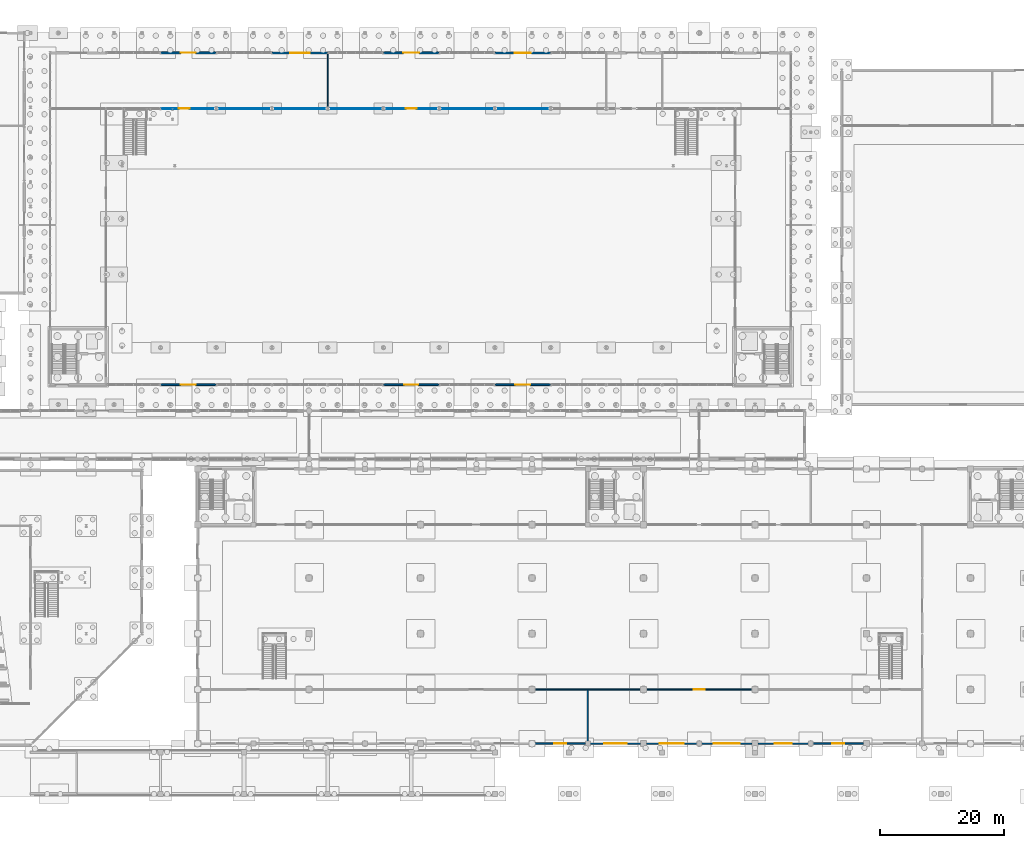
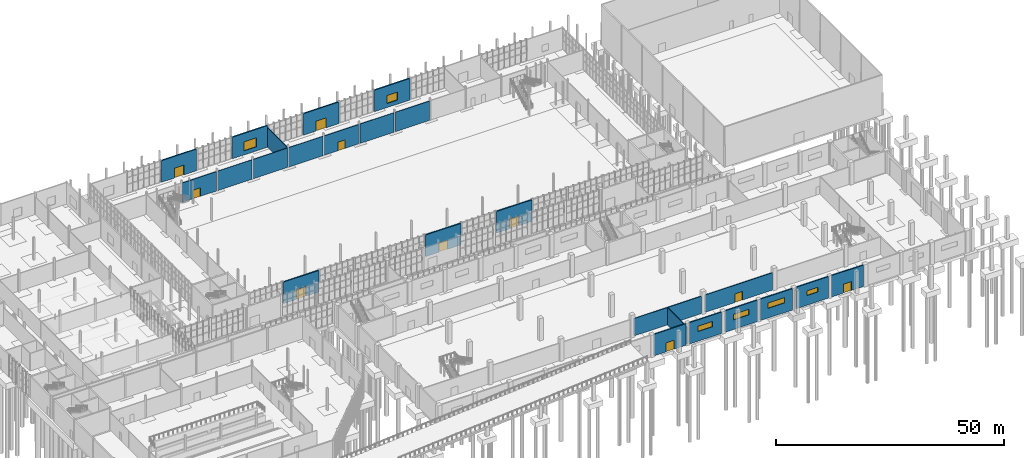
# One storey, part 103 of 131: 24 walls, 10 doors, 6 windows, 16 openings.
"""IFC4 building model written with IfcOpenShell, lengths in metres."""

from ifc_helpers import new_model, si_unit, direction, frame, frame_2d, origin, place, context, subcontext, project, spatial, rectangle, extrude, material, layer, layer_set, type_object, element, fill, save


model = new_model("IFC4")

# Units and contexts
model_context = context("Model", 3, precision=1e-05, world=origin(), true_north=direction((0.0, 1.0)))
body_context = subcontext(model_context, "Body", "Model", "MODEL_VIEW")
ifc_project = project(units=[si_unit("LENGTHUNIT", "METRE"), si_unit("AREAUNIT", "SQUARE_METRE"), si_unit("VOLUMEUNIT", "CUBIC_METRE"), si_unit("PLANEANGLEUNIT", "RADIAN"), si_unit("MASSUNIT", "GRAM", prefix="KILO")], contexts=[model_context])

# Site, building, storey
site_placement = place(None, origin())
site = spatial("IfcSite", under=ifc_project, at=site_placement, CompositionType="ELEMENT")
building_placement = place(site_placement, origin())
building = spatial("IfcBuilding", under=site, at=building_placement, Name="Cazmaro Siding Exhibition Halls", CompositionType="ELEMENT")
storey_placement = place(building_placement, origin())
storey = spatial("IfcBuildingStorey", under=building, at=storey_placement, Name="L00", CompositionType="ELEMENT", Elevation=0.0)

# Wall, opening, door
ifc_material_1 = material(Name="Concrete f'c 45 MPa", Category="concrete")
ifc_layer_1 = layer(ifc_material_1, 0.320068359375)
ifc_layer_set_1 = layer_set([ifc_layer_1], Name="Concrete f'c 45 MPa")
wall_type_1 = type_object("IfcWallType", Name="EW-01", PredefinedType="STANDARD", material=ifc_layer_set_1)
wall_1_placement = place(storey_placement, frame((74.988037109375, 67.199951171875, 0.0), z_axis=(0.0, 0.0, 1.0), x_axis=(-1.0, 0.0, 0.0)))
wall_1 = element("IfcWall", 1, at=wall_1_placement, inside=storey, type_object=wall_type_1, Name="Hall A South Acoustic Wall EW-01 WL-E0006", PredefinedType="STANDARD", context=body_context, shape_type="SweptSolid", body=[
    extrude(rectangle(XDim=8.97607421875, YDim=0.320068359375, at=frame_2d((4.488037109375, 0.0))), origin(), (0.0, 0.0, 1.0), 5.780029296875),
])
opening_1_placement = place(wall_1_placement, frame((3.2880859375, 0.0, 0.0)))
opening_1 = element("IfcOpeningElement", 2, at=opening_1_placement, cuts=wall_1, Name="Opening D-E002", PredefinedType="OPENING", context=body_context, shape_type="SweptSolid", body=[
    extrude(rectangle(XDim=2.39990234375, YDim=2.60009765625, at=frame_2d((1.199951171875, 1.300048828125))), frame((0.0, 0.169921875, 0.0), z_axis=(0.0, -1.0, 0.0), x_axis=(1.0, 0.0, 0.0)), (0.0, 0.0, 1.0), 0.340087890625),
])
ifc_material_2 = material(Name="Anodized Bronze Glazed Entrance Door", Category="aluminium")
door_type_1 = type_object("IfcDoorType", Name="ED-02", OperationType="DOUBLE_DOOR_SINGLE_SWING", PredefinedType="DOOR", material=ifc_material_2)
door_1_placement = place(opening_1_placement, origin())
door_1 = element("IfcDoor", 3, at=door_1_placement, inside=storey, type_object=door_type_1, Name="Exterior door D-E002 (ED-02)", OperationType="DOUBLE_DOOR_SINGLE_SWING", OverallHeight=2.60009765625, OverallWidth=2.39990234375, PredefinedType="DOOR", context=body_context, shape_type="SweptSolid", body=[
    extrude(rectangle(XDim=2.39990234375, YDim=2.60009765625, at=frame_2d((1.199951171875, 1.300048828125))), frame((0.0, 0.02490234375, 0.0), z_axis=(0.0, -1.0, 0.0), x_axis=(1.0, 0.0, 0.0)), (0.0, 0.0, 1.0), 0.050048828125),
])
fill(opening_1, door_1)

wall_2_placement = place(storey_placement, frame((66.011962890625, 120.800048828125, 0.0), z_axis=(0.0, 0.0, 1.0), x_axis=(1.0, 0.0, 0.0)))
wall_2 = element("IfcWall", 4, at=wall_2_placement, inside=storey, type_object=wall_type_1, Name="Hall A North Wall EW-01 WL-E0008", PredefinedType="STANDARD", context=body_context, shape_type="SweptSolid", body=[
    extrude(rectangle(XDim=8.97607421875, YDim=0.320068359375, at=frame_2d((4.488037109375, 0.0))), origin(), (0.0, 0.0, 1.0), 5.780029296875),
])
opening_2_placement = place(wall_2_placement, frame((3.2880859375, 0.0, 0.0)))
opening_2 = element("IfcOpeningElement", 5, at=opening_2_placement, cuts=wall_2, Name="Opening D-E003", PredefinedType="OPENING", context=body_context, shape_type="SweptSolid", body=[
    extrude(rectangle(XDim=2.39990234375, YDim=2.60009765625, at=frame_2d((1.199951171875, 1.300048828125))), frame((0.0, 0.169921875, 0.0), z_axis=(0.0, -1.0, 0.0), x_axis=(1.0, 0.0, 0.0)), (0.0, 0.0, 1.0), 0.340087890625),
])
door_2_placement = place(opening_2_placement, origin())
door_2 = element("IfcDoor", 6, at=door_2_placement, inside=storey, type_object=door_type_1, Name="Exterior door D-E003 (ED-02)", OperationType="DOUBLE_DOOR_SINGLE_SWING", OverallHeight=2.60009765625, OverallWidth=2.39990234375, PredefinedType="DOOR", context=body_context, shape_type="SweptSolid", body=[
    extrude(rectangle(XDim=2.39990234375, YDim=2.60009765625, at=frame_2d((1.199951171875, 1.300048828125))), frame((0.0, 0.02490234375, 0.0), z_axis=(0.0, -1.0, 0.0), x_axis=(1.0, 0.0, 0.0)), (0.0, 0.0, 1.0), 0.050048828125),
])
fill(opening_2, door_2)

# Wall, opening, window
wall_3_placement = place(storey_placement, frame((84.011962890625, 120.800048828125, 0.0), z_axis=(0.0, 0.0, 1.0), x_axis=(1.0, 0.0, 0.0)))
wall_3 = element("IfcWall", 7, at=wall_3_placement, inside=storey, type_object=wall_type_1, Name="Hall A North Wall EW-01 WL-E0012", PredefinedType="STANDARD", context=body_context, shape_type="SweptSolid", body=[
    extrude(rectangle(XDim=8.97607421875, YDim=0.320068359375, at=frame_2d((4.488037109375, 0.0))), origin(), (0.0, 0.0, 1.0), 5.780029296875),
])
opening_3_placement = place(wall_3_placement, frame((2.9130859375, 0.0, 1.10009765625)))
opening_3 = element("IfcOpeningElement", 8, at=opening_3_placement, cuts=wall_3, Name="Opening W-007", PredefinedType="OPENING", context=body_context, shape_type="SweptSolid", body=[
    extrude(rectangle(XDim=3.14990234375, YDim=2.39990234375, at=frame_2d((1.574951171875, 1.199951171875))), frame((0.0, 0.169921875, 0.0), z_axis=(0.0, -1.0, 0.0), x_axis=(1.0, 0.0, 0.0)), (0.0, 0.0, 1.0), 0.340087890625),
])
ifc_material_3 = material(Name="Thermally Broken Aluminum Low-E Window Unit", Category="aluminium")
window_type_1 = type_object("IfcWindowType", Name="WT-12", PartitioningType="SINGLE_PANEL", PredefinedType="WINDOW", material=ifc_material_3)
window_1_placement = place(opening_3_placement, origin())
window_1 = element("IfcWindow", 9, at=window_1_placement, inside=storey, type_object=window_type_1, Name="Window W-007 (WT-12)", OverallHeight=2.39990234375, OverallWidth=3.14990234375, PartitioningType="SINGLE_PANEL", PredefinedType="WINDOW", context=body_context, shape_type="SweptSolid", body=[
    extrude(rectangle(XDim=3.14990234375, YDim=2.39990234375, at=frame_2d((1.574951171875, 1.199951171875))), frame((0.0, 0.030029296875, 0.0), z_axis=(0.0, -1.0, 0.0), x_axis=(1.0, 0.0, 0.0)), (0.0, 0.0, 1.0), 0.06005859375),
])
fill(opening_3, window_1)

# Wall, opening, door
wall_4_placement = place(storey_placement, frame((110.988037109375, 67.199951171875, 0.0), z_axis=(0.0, 0.0, 1.0), x_axis=(-1.0, 0.0, 0.0)))
wall_4 = element("IfcWall", 10, at=wall_4_placement, inside=storey, type_object=wall_type_1, Name="Hall A South Acoustic Wall EW-01 WL-E0014", PredefinedType="STANDARD", context=body_context, shape_type="SweptSolid", body=[
    extrude(rectangle(XDim=8.97607421875, YDim=0.320068359375, at=frame_2d((4.488037109375, 0.0))), origin(), (0.0, 0.0, 1.0), 5.780029296875),
])
opening_4_placement = place(wall_4_placement, frame((3.387939453125, 0.0, 0.0)))
opening_4 = element("IfcOpeningElement", 11, at=opening_4_placement, cuts=wall_4, Name="Opening D-E006", PredefinedType="OPENING", context=body_context, shape_type="SweptSolid", body=[
    extrude(rectangle(XDim=2.199951171875, YDim=2.5, at=frame_2d((1.10009765625, 1.25))), frame((0.0, 0.169921875, 0.0), z_axis=(0.0, -1.0, 0.0), x_axis=(1.0, 0.0, 0.0)), (0.0, 0.0, 1.0), 0.340087890625),
])
ifc_material_4 = material(Name="Anodized Bronze Glazed Entrance Door", Category="aluminium")
door_type_2 = type_object("IfcDoorType", Name="ED-06", OperationType="DOUBLE_DOOR_SINGLE_SWING", PredefinedType="DOOR", material=ifc_material_4)
door_3_placement = place(opening_4_placement, origin())
door_3 = element("IfcDoor", 12, at=door_3_placement, inside=storey, type_object=door_type_2, Name="Exterior door D-E006 (ED-06)", OperationType="DOUBLE_DOOR_SINGLE_SWING", OverallHeight=2.5, OverallWidth=2.199951171875, PredefinedType="DOOR", context=body_context, shape_type="SweptSolid", body=[
    extrude(rectangle(XDim=2.199951171875, YDim=2.5, at=frame_2d((1.10009765625, 1.25))), frame((0.0, 0.02490234375, 0.0), z_axis=(0.0, -1.0, 0.0), x_axis=(1.0, 0.0, 0.0)), (0.0, 0.0, 1.0), 0.050048828125),
])
fill(opening_4, door_3)

wall_5_placement = place(storey_placement, frame((102.011962890625, 120.800048828125, 0.0), z_axis=(0.0, 0.0, 1.0), x_axis=(1.0, 0.0, 0.0)))
wall_5 = element("IfcWall", 13, at=wall_5_placement, inside=storey, type_object=wall_type_1, Name="Hall A North Wall EW-01 WL-E0016", PredefinedType="STANDARD", context=body_context, shape_type="SweptSolid", body=[
    extrude(rectangle(XDim=8.97607421875, YDim=0.320068359375, at=frame_2d((4.488037109375, 0.0))), origin(), (0.0, 0.0, 1.0), 5.780029296875),
])
opening_5_placement = place(wall_5_placement, frame((3.18798828125, 0.0, 0.0)))
opening_5 = element("IfcOpeningElement", 14, at=opening_5_placement, cuts=wall_5, Name="Opening D-E007", PredefinedType="OPENING", context=body_context, shape_type="SweptSolid", body=[
    extrude(rectangle(XDim=2.60009765625, YDim=2.64990234375, at=frame_2d((1.300048828125, 1.324951171875))), frame((0.0, 0.169921875, 0.0), z_axis=(0.0, -1.0, 0.0), x_axis=(1.0, 0.0, 0.0)), (0.0, 0.0, 1.0), 0.340087890625),
])
ifc_material_5 = material(Name="Anodized Bronze Glazed Entrance Door", Category="aluminium")
door_type_3 = type_object("IfcDoorType", Name="ED-07", OperationType="DOUBLE_DOOR_SINGLE_SWING", PredefinedType="DOOR", material=ifc_material_5)
door_4_placement = place(opening_5_placement, origin())
door_4 = element("IfcDoor", 15, at=door_4_placement, inside=storey, type_object=door_type_3, Name="Exterior door D-E007 (ED-07)", OperationType="DOUBLE_DOOR_SINGLE_SWING", OverallHeight=2.64990234375, OverallWidth=2.60009765625, PredefinedType="DOOR", context=body_context, shape_type="SweptSolid", body=[
    extrude(rectangle(XDim=2.60009765625, YDim=2.64990234375, at=frame_2d((1.300048828125, 1.324951171875))), frame((0.0, 0.02490234375, 0.0), z_axis=(0.0, -1.0, 0.0), x_axis=(1.0, 0.0, 0.0)), (0.0, 0.0, 1.0), 0.050048828125),
])
fill(opening_5, door_4)

wall_6_placement = place(storey_placement, frame((128.988037109375, 67.199951171875, 0.0), z_axis=(0.0, 0.0, 1.0), x_axis=(-1.0, 0.0, 0.0)))
wall_6 = element("IfcWall", 16, at=wall_6_placement, inside=storey, type_object=wall_type_1, Name="Hall A South Acoustic Wall EW-01 WL-E0018", PredefinedType="STANDARD", context=body_context, shape_type="SweptSolid", body=[
    extrude(rectangle(XDim=8.97607421875, YDim=0.320068359375, at=frame_2d((4.488037109375, 0.0))), origin(), (0.0, 0.0, 1.0), 5.780029296875),
])
opening_6_placement = place(wall_6_placement, frame((3.2880859375, 0.0, 0.0)))
opening_6 = element("IfcOpeningElement", 17, at=opening_6_placement, cuts=wall_6, Name="Opening D-E008", PredefinedType="OPENING", context=body_context, shape_type="SweptSolid", body=[
    extrude(rectangle(XDim=2.39990234375, YDim=2.60009765625, at=frame_2d((1.199951171875, 1.300048828125))), frame((0.0, 0.169921875, 0.0), z_axis=(0.0, -1.0, 0.0), x_axis=(1.0, 0.0, 0.0)), (0.0, 0.0, 1.0), 0.340087890625),
])
door_5_placement = place(opening_6_placement, origin())
door_5 = element("IfcDoor", 18, at=door_5_placement, inside=storey, type_object=door_type_1, Name="Exterior door D-E008 (ED-02)", OperationType="DOUBLE_DOOR_SINGLE_SWING", OverallHeight=2.60009765625, OverallWidth=2.39990234375, PredefinedType="DOOR", context=body_context, shape_type="SweptSolid", body=[
    extrude(rectangle(XDim=2.39990234375, YDim=2.60009765625, at=frame_2d((1.199951171875, 1.300048828125))), frame((0.0, 0.02490234375, 0.0), z_axis=(0.0, -1.0, 0.0), x_axis=(1.0, 0.0, 0.0)), (0.0, 0.0, 1.0), 0.050048828125),
])
fill(opening_6, door_5)

# Wall, opening, window
wall_7_placement = place(storey_placement, frame((120.011962890625, 120.800048828125, 0.0), z_axis=(0.0, 0.0, 1.0), x_axis=(1.0, 0.0, 0.0)))
wall_7 = element("IfcWall", 19, at=wall_7_placement, inside=storey, type_object=wall_type_1, Name="Hall A North Wall EW-01 WL-E0020", PredefinedType="STANDARD", context=body_context, shape_type="SweptSolid", body=[
    extrude(rectangle(XDim=8.97607421875, YDim=0.320068359375, at=frame_2d((4.488037109375, 0.0))), origin(), (0.0, 0.0, 1.0), 5.780029296875),
])
opening_7_placement = place(wall_7_placement, frame((3.18798828125, 0.0, 1.10009765625)))
opening_7 = element("IfcOpeningElement", 20, at=opening_7_placement, cuts=wall_7, Name="Opening W-012", PredefinedType="OPENING", context=body_context, shape_type="SweptSolid", body=[
    extrude(rectangle(XDim=2.60009765625, YDim=2.14990234375, at=frame_2d((1.300048828125, 1.074951171875))), frame((0.0, 0.169921875, 0.0), z_axis=(0.0, -1.0, 0.0), x_axis=(1.0, 0.0, 0.0)), (0.0, 0.0, 1.0), 0.340087890625),
])
ifc_material_6 = material(Name="Thermally Broken Aluminum Low-E Window Unit", Category="aluminium")
window_type_2 = type_object("IfcWindowType", Name="WT-16", PartitioningType="SINGLE_PANEL", PredefinedType="WINDOW", material=ifc_material_6)
window_2_placement = place(opening_7_placement, origin())
window_2 = element("IfcWindow", 21, at=window_2_placement, inside=storey, type_object=window_type_2, Name="Window W-012 (WT-16)", OverallHeight=2.14990234375, OverallWidth=2.60009765625, PartitioningType="SINGLE_PANEL", PredefinedType="WINDOW", context=body_context, shape_type="SweptSolid", body=[
    extrude(rectangle(XDim=2.60009765625, YDim=2.14990234375, at=frame_2d((1.300048828125, 1.074951171875))), frame((0.0, 0.030029296875, 0.0), z_axis=(0.0, -1.0, 0.0), x_axis=(1.0, 0.0, 0.0)), (0.0, 0.0, 1.0), 0.06005859375),
])
fill(opening_7, window_2)

# Wall, opening, door
ifc_material_7 = material(Name="Precast concrete f'c 40 MPa", Category="concrete")
ifc_layer_2 = layer(ifc_material_7, 0.280029296875)
ifc_layer_set_2 = layer_set([ifc_layer_2], Name="Precast concrete f'c 40 MPa")
wall_type_2 = type_object("IfcWallType", Name="EW-02", PredefinedType="STANDARD", material=ifc_layer_set_2)
wall_8_placement = place(storey_placement, frame((134.60791015625, 9.25, 0.0), z_axis=(0.0, 0.0, 1.0), x_axis=(-1.0, 0.0, 0.0)))
wall_8 = element("IfcWall", 22, at=wall_8_placement, inside=storey, type_object=wall_type_2, Name="Hall B1 South Precast Wall EW-02 WL-E0072", PredefinedType="STANDARD", context=body_context, shape_type="SweptSolid", body=[
    extrude(rectangle(XDim=8.115966796875, YDim=0.280029296875, at=frame_2d((4.05810546875, 0.0))), origin(), (0.0, 0.0, 1.0), 5.75),
])
opening_8_placement = place(wall_8_placement, frame((3.05810546875, 0.0, 0.0)))
opening_8 = element("IfcOpeningElement", 23, at=opening_8_placement, cuts=wall_8, Name="Opening D-E018", PredefinedType="OPENING", context=body_context, shape_type="SweptSolid", body=[
    extrude(rectangle(XDim=2.0, YDim=2.39990234375, at=frame_2d((1.0, 1.199951171875))), frame((0.0, 0.14990234375, 0.0), z_axis=(0.0, -1.0, 0.0), x_axis=(1.0, 0.0, 0.0)), (0.0, 0.0, 1.0), 0.300048828125),
])
ifc_material_8 = material(Name="Anodized Bronze Glazed Entrance Door", Category="aluminium")
door_type_4 = type_object("IfcDoorType", Name="ED-01", OperationType="DOUBLE_DOOR_SINGLE_SWING", PredefinedType="DOOR", material=ifc_material_8)
door_6_placement = place(opening_8_placement, origin())
door_6 = element("IfcDoor", 24, at=door_6_placement, inside=storey, type_object=door_type_4, Name="Exterior door D-E018 (ED-01)", OperationType="DOUBLE_DOOR_SINGLE_SWING", OverallHeight=2.39990234375, OverallWidth=2.0, PredefinedType="DOOR", context=body_context, shape_type="SweptSolid", body=[
    extrude(rectangle(XDim=2.0, YDim=2.39990234375, at=frame_2d((1.0, 1.199951171875))), frame((0.0, 0.02490234375, 0.0), z_axis=(0.0, -1.0, 0.0), x_axis=(1.0, 0.0, 0.0)), (0.0, 0.0, 1.0), 0.050048828125),
])
fill(opening_8, door_6)

# Wall, opening, window
wall_9_placement = place(storey_placement, frame((143.508056640625, 9.25, 0.0), z_axis=(0.0, 0.0, 1.0), x_axis=(-1.0, 0.0, 0.0)))
wall_9 = element("IfcWall", 25, at=wall_9_placement, inside=storey, type_object=wall_type_2, Name="Hall B1 South Precast Wall EW-02 WL-E0078", PredefinedType="STANDARD", context=body_context, shape_type="SweptSolid", body=[
    extrude(rectangle(XDim=8.115966796875, YDim=0.280029296875, at=frame_2d((4.05810546875, 0.0))), origin(), (0.0, 0.0, 1.0), 5.75),
])
opening_9_placement = place(wall_9_placement, frame((2.258056640625, 0.0, 2.60009765625)))
opening_9 = element("IfcOpeningElement", 26, at=opening_9_placement, cuts=wall_9, Name="Opening W-035", PredefinedType="OPENING", context=body_context, shape_type="SweptSolid", body=[
    extrude(rectangle(XDim=3.60009765625, YDim=1.449951171875, at=frame_2d((1.800048828125, 0.72509765625))), frame((0.0, 0.14990234375, 0.0), z_axis=(0.0, -1.0, 0.0), x_axis=(1.0, 0.0, 0.0)), (0.0, 0.0, 1.0), 0.300048828125),
])
ifc_material_9 = material(Name="Thermally Broken Aluminum Low-E Window Unit", Category="aluminium")
window_type_3 = type_object("IfcWindowType", Name="WT-26", PartitioningType="SINGLE_PANEL", PredefinedType="WINDOW", material=ifc_material_9)
window_3_placement = place(opening_9_placement, origin())
window_3 = element("IfcWindow", 27, at=window_3_placement, inside=storey, type_object=window_type_3, Name="Window W-035 (WT-26)", OverallHeight=1.449951171875, OverallWidth=3.60009765625, PartitioningType="SINGLE_PANEL", PredefinedType="WINDOW", context=body_context, shape_type="SweptSolid", body=[
    extrude(rectangle(XDim=3.60009765625, YDim=1.449951171875, at=frame_2d((1.800048828125, 0.72509765625))), frame((0.0, 0.030029296875, 0.0), z_axis=(0.0, -1.0, 0.0), x_axis=(1.0, 0.0, 0.0)), (0.0, 0.0, 1.0), 0.06005859375),
])
fill(opening_9, window_3)

wall_10_placement = place(storey_placement, frame((152.60791015625, 9.25, 0.0), z_axis=(0.0, 0.0, 1.0), x_axis=(-1.0, 0.0, 0.0)))
wall_10 = element("IfcWall", 28, at=wall_10_placement, inside=storey, type_object=wall_type_2, Name="Hall B1 South Precast Wall EW-02 WL-E0084", PredefinedType="STANDARD", context=body_context, shape_type="SweptSolid", body=[
    extrude(rectangle(XDim=8.115966796875, YDim=0.280029296875, at=frame_2d((4.05810546875, 0.0))), origin(), (0.0, 0.0, 1.0), 5.75),
])
opening_10_placement = place(wall_10_placement, frame((2.10791015625, 0.0, 2.60009765625)))
opening_10 = element("IfcOpeningElement", 29, at=opening_10_placement, cuts=wall_10, Name="Opening W-037", PredefinedType="OPENING", context=body_context, shape_type="SweptSolid", body=[
    extrude(rectangle(XDim=3.89990234375, YDim=1.449951171875, at=frame_2d((1.949951171875, 0.72509765625))), frame((0.0, 0.14990234375, 0.0), z_axis=(0.0, -1.0, 0.0), x_axis=(1.0, 0.0, 0.0)), (0.0, 0.0, 1.0), 0.300048828125),
])
ifc_material_10 = material(Name="Thermally Broken Aluminum Low-E Window Unit", Category="aluminium")
window_type_4 = type_object("IfcWindowType", Name="WT-27", PartitioningType="SINGLE_PANEL", PredefinedType="WINDOW", material=ifc_material_10)
window_4_placement = place(opening_10_placement, origin())
window_4 = element("IfcWindow", 30, at=window_4_placement, inside=storey, type_object=window_type_4, Name="Window W-037 (WT-27)", OverallHeight=1.449951171875, OverallWidth=3.89990234375, PartitioningType="SINGLE_PANEL", PredefinedType="WINDOW", context=body_context, shape_type="SweptSolid", body=[
    extrude(rectangle(XDim=3.89990234375, YDim=1.449951171875, at=frame_2d((1.949951171875, 0.72509765625))), frame((0.0, 0.030029296875, 0.0), z_axis=(0.0, -1.0, 0.0), x_axis=(1.0, 0.0, 0.0)), (0.0, 0.0, 1.0), 0.06005859375),
])
fill(opening_10, window_4)

wall_11_placement = place(storey_placement, frame((161.508056640625, 9.25, 0.0), z_axis=(0.0, 0.0, 1.0), x_axis=(-1.0, 0.0, 0.0)))
wall_11 = element("IfcWall", 31, at=wall_11_placement, inside=storey, type_object=wall_type_2, Name="Hall B1 South Precast Wall EW-02 WL-E0090", PredefinedType="STANDARD", context=body_context, shape_type="SweptSolid", body=[
    extrude(rectangle(XDim=8.115966796875, YDim=0.280029296875, at=frame_2d((4.05810546875, 0.0))), origin(), (0.0, 0.0, 1.0), 5.75),
])
opening_11_placement = place(wall_11_placement, frame((1.9580078125, 0.0, 2.60009765625)))
opening_11 = element("IfcOpeningElement", 32, at=opening_11_placement, cuts=wall_11, Name="Opening W-040", PredefinedType="OPENING", context=body_context, shape_type="SweptSolid", body=[
    extrude(rectangle(XDim=4.199951171875, YDim=1.449951171875, at=frame_2d((2.10009765625, 0.72509765625))), frame((0.0, 0.14990234375, 0.0), z_axis=(0.0, -1.0, 0.0), x_axis=(1.0, 0.0, 0.0)), (0.0, 0.0, 1.0), 0.300048828125),
])
ifc_material_11 = material(Name="Thermally Broken Aluminum Low-E Window Unit", Category="aluminium")
window_type_5 = type_object("IfcWindowType", Name="WT-28", PartitioningType="SINGLE_PANEL", PredefinedType="WINDOW", material=ifc_material_11)
window_5_placement = place(opening_11_placement, origin())
window_5 = element("IfcWindow", 33, at=window_5_placement, inside=storey, type_object=window_type_5, Name="Window W-040 (WT-28)", OverallHeight=1.449951171875, OverallWidth=4.199951171875, PartitioningType="SINGLE_PANEL", PredefinedType="WINDOW", context=body_context, shape_type="SweptSolid", body=[
    extrude(rectangle(XDim=4.199951171875, YDim=1.449951171875, at=frame_2d((2.10009765625, 0.72509765625))), frame((0.0, 0.030029296875, 0.0), z_axis=(0.0, -1.0, 0.0), x_axis=(1.0, 0.0, 0.0)), (0.0, 0.0, 1.0), 0.06005859375),
])
fill(opening_11, window_5)

wall_12_placement = place(storey_placement, frame((170.60791015625, 9.25, 0.0), z_axis=(0.0, 0.0, 1.0), x_axis=(-1.0, 0.0, 0.0)))
wall_12 = element("IfcWall", 34, at=wall_12_placement, inside=storey, type_object=wall_type_2, Name="Hall B1 South Precast Wall EW-02 WL-E0096", PredefinedType="STANDARD", context=body_context, shape_type="SweptSolid", body=[
    extrude(rectangle(XDim=8.115966796875, YDim=0.280029296875, at=frame_2d((4.05810546875, 0.0))), origin(), (0.0, 0.0, 1.0), 5.75),
])
opening_12_placement = place(wall_12_placement, frame((2.657958984375, 0.0, 2.60009765625)))
opening_12 = element("IfcOpeningElement", 35, at=opening_12_placement, cuts=wall_12, Name="Opening W-043", PredefinedType="OPENING", context=body_context, shape_type="SweptSolid", body=[
    extrude(rectangle(XDim=2.800048828125, YDim=1.25, at=frame_2d((1.39990234375, 0.625))), frame((0.0, 0.14990234375, 0.0), z_axis=(0.0, -1.0, 0.0), x_axis=(1.0, 0.0, 0.0)), (0.0, 0.0, 1.0), 0.300048828125),
])
ifc_material_12 = material(Name="Thermally Broken Aluminum Low-E Window Unit", Category="aluminium")
window_type_6 = type_object("IfcWindowType", Name="WT-19", PartitioningType="SINGLE_PANEL", PredefinedType="WINDOW", material=ifc_material_12)
window_6_placement = place(opening_12_placement, origin())
window_6 = element("IfcWindow", 36, at=window_6_placement, inside=storey, type_object=window_type_6, Name="Window W-043 (WT-19)", OverallHeight=1.25, OverallWidth=2.800048828125, PartitioningType="SINGLE_PANEL", PredefinedType="WINDOW", context=body_context, shape_type="SweptSolid", body=[
    extrude(rectangle(XDim=2.800048828125, YDim=1.25, at=frame_2d((1.39990234375, 0.625))), frame((0.0, 0.030029296875, 0.0), z_axis=(0.0, -1.0, 0.0), x_axis=(1.0, 0.0, 0.0)), (0.0, 0.0, 1.0), 0.06005859375),
])
fill(opening_12, window_6)

# Wall, opening, door
wall_13_placement = place(storey_placement, frame((179.508056640625, 9.25, 0.0), z_axis=(0.0, 0.0, 1.0), x_axis=(-1.0, 0.0, 0.0)))
wall_13 = element("IfcWall", 37, at=wall_13_placement, inside=storey, type_object=wall_type_2, Name="Hall B1 South Precast Wall EW-02 WL-E0102", PredefinedType="STANDARD", context=body_context, shape_type="SweptSolid", body=[
    extrude(rectangle(XDim=8.115966796875, YDim=0.280029296875, at=frame_2d((4.05810546875, 0.0))), origin(), (0.0, 0.0, 1.0), 5.75),
])
opening_13_placement = place(wall_13_placement, frame((3.05810546875, 0.0, 0.0)))
opening_13 = element("IfcOpeningElement", 38, at=opening_13_placement, cuts=wall_13, Name="Opening D-E021", PredefinedType="OPENING", context=body_context, shape_type="SweptSolid", body=[
    extrude(rectangle(XDim=2.0, YDim=2.39990234375, at=frame_2d((1.0, 1.199951171875))), frame((0.0, 0.14990234375, 0.0), z_axis=(0.0, -1.0, 0.0), x_axis=(1.0, 0.0, 0.0)), (0.0, 0.0, 1.0), 0.300048828125),
])
door_7_placement = place(opening_13_placement, origin())
door_7 = element("IfcDoor", 39, at=door_7_placement, inside=storey, type_object=door_type_4, Name="Exterior door D-E021 (ED-01)", OperationType="DOUBLE_DOOR_SINGLE_SWING", OverallHeight=2.39990234375, OverallWidth=2.0, PredefinedType="DOOR", context=body_context, shape_type="SweptSolid", body=[
    extrude(rectangle(XDim=2.0, YDim=2.39990234375, at=frame_2d((1.0, 1.199951171875))), frame((0.0, 0.02490234375, 0.0), z_axis=(0.0, -1.0, 0.0), x_axis=(1.0, 0.0, 0.0)), (0.0, 0.0, 1.0), 0.050048828125),
])
fill(opening_13, door_7)

ifc_material_13 = material(Name="Fire-Rated Gypsum Board on Cold-Formed Steel Studs", Category="steel")
ifc_layer_3 = layer(ifc_material_13, 0.14501953125)
ifc_layer_set_3 = layer_set([ifc_layer_3], Name="Fire-Rated Gypsum Board on Cold-Formed Steel Studs")
wall_type_3 = type_object("IfcWallType", Name="PW-01", PredefinedType="PARTITIONING", material=ifc_layer_set_3)
wall_14_placement = place(storey_placement, frame((66.14697265625, 111.800048828125, 0.0), z_axis=(0.0, 0.0, 1.0), x_axis=(1.0, 0.0, 0.0)))
wall_14 = element("IfcWall", 40, at=wall_14_placement, inside=storey, type_object=wall_type_3, Name="Hall A North Service Partition PW-01 WL-I0125", PredefinedType="PARTITIONING", context=body_context, shape_type="SweptSolid", body=[
    extrude(rectangle(XDim=8.7060546875, YDim=0.14501953125, at=frame_2d((4.35302734375, 0.0))), origin(), (0.0, 0.0, 1.0), 5.199951171875),
])
opening_14_placement = place(wall_14_placement, frame((2.800048828125, 0.0, 0.0)))
opening_14 = element("IfcOpeningElement", 41, at=opening_14_placement, cuts=wall_14, Name="Opening D-I059", PredefinedType="OPENING", context=body_context, shape_type="SweptSolid", body=[
    extrude(rectangle(XDim=1.800048828125, YDim=2.300048828125, at=frame_2d((0.89990234375, 1.14990234375))), frame((0.0, 0.08251953125, 0.0), z_axis=(0.0, -1.0, 0.0), x_axis=(1.0, 0.0, 0.0)), (0.0, 0.0, 1.0), 0.1650390625),
])
ifc_material_14 = material(Name="Fire-Rated Painted Hollow Metal Door", Category="steel")
door_type_5 = type_object("IfcDoorType", Name="ID-02", OperationType="DOUBLE_DOOR_SINGLE_SWING", PredefinedType="DOOR", material=ifc_material_14)
door_8_placement = place(opening_14_placement, origin())
door_8 = element("IfcDoor", 42, at=door_8_placement, inside=storey, type_object=door_type_5, Name="Interior door D-I059 (ID-02)", OperationType="DOUBLE_DOOR_SINGLE_SWING", OverallHeight=2.300048828125, OverallWidth=1.800048828125, PredefinedType="DOOR", context=body_context, shape_type="SweptSolid", body=[
    extrude(rectangle(XDim=1.800048828125, YDim=2.300048828125, at=frame_2d((0.89990234375, 1.14990234375))), frame((0.0, 0.02490234375, 0.0), z_axis=(0.0, -1.0, 0.0), x_axis=(1.0, 0.0, 0.0)), (0.0, 0.0, 1.0), 0.050048828125),
])
fill(opening_14, door_8)

# Walls
for number, where, z_axis, x_axis, name in (
    (43, (75.14697265625, 111.800048828125, 0.0), (0.0, 0.0, 1.0), (1.0, 0.0, 0.0), "Hall A North Service Partition PW-01 WL-I0126"),
    (44, (84.14697265625, 111.800048828125, 0.0), (0.0, 0.0, 1.0), (1.0, 0.0, 0.0), "Hall A North Service Partition PW-01 WL-I0127"),
    (45, (93.14697265625, 111.800048828125, 0.0), (0.0, 0.0, 1.0), (1.0, 0.0, 0.0), "Hall A North Service Partition PW-01 WL-I0128"),
):
    element("IfcWall", number, at=place(storey_placement, frame(where, z_axis=z_axis, x_axis=x_axis)), inside=storey, type_object=wall_type_3, Name=name, PredefinedType="PARTITIONING", context=body_context, shape_type="SweptSolid", body=[
        extrude(rectangle(XDim=8.7060546875, YDim=0.14501953125, at=frame_2d((4.35302734375, 0.0))), origin(), (0.0, 0.0, 1.0), 5.199951171875),
    ])

# Wall, opening, door
wall_15_placement = place(storey_placement, frame((102.14697265625, 111.800048828125, 0.0), z_axis=(0.0, 0.0, 1.0), x_axis=(1.0, 0.0, 0.0)))
wall_15 = element("IfcWall", 46, at=wall_15_placement, inside=storey, type_object=wall_type_3, Name="Hall A North Service Partition PW-01 WL-I0129", PredefinedType="PARTITIONING", context=body_context, shape_type="SweptSolid", body=[
    extrude(rectangle(XDim=8.7060546875, YDim=0.14501953125, at=frame_2d((4.35302734375, 0.0))), origin(), (0.0, 0.0, 1.0), 5.199951171875),
])
opening_15_placement = place(wall_15_placement, frame((3.452880859375, 0.0, 0.0)))
opening_15 = element("IfcOpeningElement", 47, at=opening_15_placement, cuts=wall_15, Name="Opening D-I060", PredefinedType="OPENING", context=body_context, shape_type="SweptSolid", body=[
    extrude(rectangle(XDim=1.800048828125, YDim=2.300048828125, at=frame_2d((0.89990234375, 1.14990234375))), frame((0.0, 0.08251953125, 0.0), z_axis=(0.0, -1.0, 0.0), x_axis=(1.0, 0.0, 0.0)), (0.0, 0.0, 1.0), 0.1650390625),
])
door_9_placement = place(opening_15_placement, origin())
door_9 = element("IfcDoor", 48, at=door_9_placement, inside=storey, type_object=door_type_5, Name="Interior door D-I060 (ID-02)", OperationType="DOUBLE_DOOR_SINGLE_SWING", OverallHeight=2.300048828125, OverallWidth=1.800048828125, PredefinedType="DOOR", context=body_context, shape_type="SweptSolid", body=[
    extrude(rectangle(XDim=1.800048828125, YDim=2.300048828125, at=frame_2d((0.89990234375, 1.14990234375))), frame((0.0, 0.02490234375, 0.0), z_axis=(0.0, -1.0, 0.0), x_axis=(1.0, 0.0, 0.0)), (0.0, 0.0, 1.0), 0.050048828125),
])
fill(opening_15, door_9)

# Walls
for number, where, z_axis, x_axis, name in (
    (49, (111.14697265625, 111.800048828125, 0.0), (0.0, 0.0, 1.0), (1.0, 0.0, 0.0), "Hall A North Service Partition PW-01 WL-I0130"),
    (50, (120.14697265625, 111.800048828125, 0.0), (0.0, 0.0, 1.0), (1.0, 0.0, 0.0), "Hall A North Service Partition PW-01 WL-I0131"),
):
    element("IfcWall", number, at=place(storey_placement, frame(where, z_axis=z_axis, x_axis=x_axis)), inside=storey, type_object=wall_type_3, Name=name, PredefinedType="PARTITIONING", context=body_context, shape_type="SweptSolid", body=[
        extrude(rectangle(XDim=8.7060546875, YDim=0.14501953125, at=frame_2d((4.35302734375, 0.0))), origin(), (0.0, 0.0, 1.0), 5.199951171875),
    ])
ifc_material_15 = material(Name="Moisture-Resistant Gypsum Board on Acoustic Steel Studs", Category="steel")
ifc_layer_4 = layer(ifc_material_15, 0.1650390625)
ifc_layer_set_4 = layer_set([ifc_layer_4], Name="Moisture-Resistant Gypsum Board on Acoustic Steel Studs")
wall_type_4 = type_object("IfcWallType", Name="PW-02", PredefinedType="PARTITIONING", material=ifc_layer_set_4)
wall_16_placement = place(storey_placement, frame((93.0, 111.949951171875, 0.0), z_axis=(0.0, 0.0, 1.0), x_axis=(0.0, 1.0, 0.0)))
element("IfcWall", 51, at=wall_16_placement, inside=storey, type_object=wall_type_4, Name="Hall A North Room Divider PW-02 WL-I0136", PredefinedType="PARTITIONING", context=body_context, shape_type="SweptSolid", body=[
    extrude(rectangle(XDim=8.77001953125, YDim=0.1650390625, at=frame_2d((4.385009765625, 0.0))), origin(), (0.0, 0.0, 1.0), 5.199951171875),
])
ifc_material_16 = material(Name="Concrete Masonry Unit Acoustic Partition", Category="masonry")
ifc_layer_5 = layer(ifc_material_16, 0.205078125)
ifc_layer_set_5 = layer_set([ifc_layer_5], Name="Concrete Masonry Unit Acoustic Partition")
wall_type_5 = type_object("IfcWallType", Name="PW-04", PredefinedType="PARTITIONING", material=ifc_layer_set_5)
wall_17_placement = place(storey_placement, frame((126.4951171875, 18.0, 0.0), z_axis=(0.0, 0.0, 1.0), x_axis=(1.0, 0.0, 0.0)))
element("IfcWall", 52, at=wall_17_placement, inside=storey, type_object=wall_type_5, Name="Hall B1 South Plant Partition PW-04 WL-I0150", PredefinedType="PARTITIONING", context=body_context, shape_type="SweptSolid", body=[
    extrude(rectangle(XDim=17.009765625, YDim=0.205078125, at=frame_2d((8.5048828125, 0.0))), origin(), (0.0, 0.0, 1.0), 4.64990234375),
])

# Wall, opening, door
wall_18_placement = place(storey_placement, frame((144.4951171875, 18.0, 0.0), z_axis=(0.0, 0.0, 1.0), x_axis=(1.0, 0.0, 0.0)))
wall_18 = element("IfcWall", 53, at=wall_18_placement, inside=storey, type_object=wall_type_5, Name="Hall B1 South Plant Partition PW-04 WL-I0151", PredefinedType="PARTITIONING", context=body_context, shape_type="SweptSolid", body=[
    extrude(rectangle(XDim=17.009765625, YDim=0.205078125, at=frame_2d((8.5048828125, 0.0))), origin(), (0.0, 0.0, 1.0), 4.64990234375),
])
opening_16_placement = place(wall_18_placement, frame((7.60498046875, 0.0, 0.0)))
opening_16 = element("IfcOpeningElement", 54, at=opening_16_placement, cuts=wall_18, Name="Opening D-I070", PredefinedType="OPENING", context=body_context, shape_type="SweptSolid", body=[
    extrude(rectangle(XDim=1.800048828125, YDim=2.300048828125, at=frame_2d((0.89990234375, 1.14990234375))), frame((0.0, 0.112548828125, 0.0), z_axis=(0.0, -1.0, 0.0), x_axis=(1.0, 0.0, 0.0)), (0.0, 0.0, 1.0), 0.22509765625),
])
door_10_placement = place(opening_16_placement, origin())
door_10 = element("IfcDoor", 55, at=door_10_placement, inside=storey, type_object=door_type_5, Name="Interior door D-I070 (ID-02)", OperationType="DOUBLE_DOOR_SINGLE_SWING", OverallHeight=2.300048828125, OverallWidth=1.800048828125, PredefinedType="DOOR", context=body_context, shape_type="SweptSolid", body=[
    extrude(rectangle(XDim=1.800048828125, YDim=2.300048828125, at=frame_2d((0.89990234375, 1.14990234375))), frame((0.0, 0.02490234375, 0.0), z_axis=(0.0, -1.0, 0.0), x_axis=(1.0, 0.0, 0.0)), (0.0, 0.0, 1.0), 0.050048828125),
])
fill(opening_16, door_10)

# Wall
wall_19_placement = place(storey_placement, frame((135.0, 9.39990234375, 0.0), z_axis=(0.0, 0.0, 1.0), x_axis=(0.0, 1.0, 0.0)))
element("IfcWall", 56, at=wall_19_placement, inside=storey, type_object=wall_type_5, Name="Hall B1 Plant Divider PW-04 WL-I0154", PredefinedType="PARTITIONING", context=body_context, shape_type="SweptSolid", body=[
    extrude(rectangle(XDim=8.47998046875, YDim=0.205078125, at=frame_2d((4.239990234375, 0.0))), origin(), (0.0, 0.0, 1.0), 4.64990234375),
])

save(model, "model.ifc")
